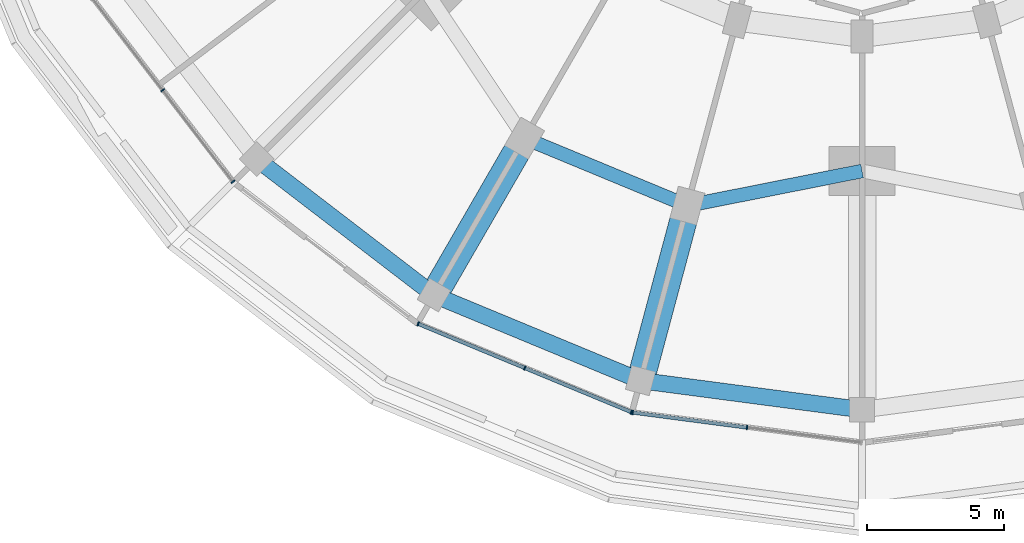
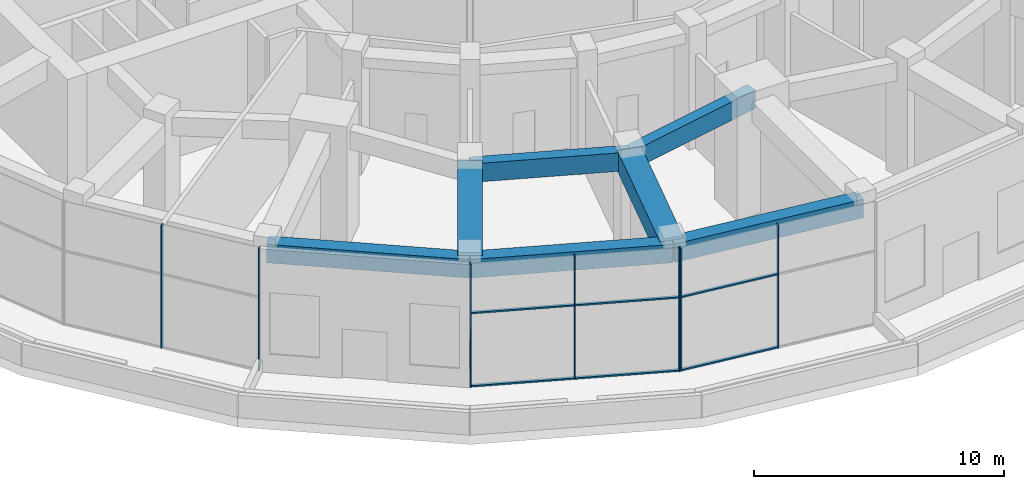
# One storey, part 2 of 23: 13 members, 7 beams, 3 elements without a shape of their own.
"""IFC4 building model written with IfcOpenShell, lengths in metres."""

from ifc_helpers import new_model, si_unit, direction, frame, origin, origin_2d, place, context, subcontext, project, spatial, rectangle, extrude, material, layer, layer_set, material_profile, profile_set, type_object, element, aggregate, save


model = new_model("IFC4")

# Units and contexts
model_context = context("Model", 3, precision=1e-05, world=origin(), true_north=direction((0.0, 1.0)))
body_context = subcontext(model_context, "Body", "Model", "MODEL_VIEW")
ifc_project = project(units=[si_unit("LENGTHUNIT", "METRE"), si_unit("AREAUNIT", "SQUARE_METRE"), si_unit("VOLUMEUNIT", "CUBIC_METRE"), si_unit("PLANEANGLEUNIT", "RADIAN"), si_unit("MASSUNIT", "GRAM", prefix="KILO")], contexts=[model_context])

# Site, building, storey
site_placement = place(None, origin())
site = spatial("IfcSite", under=ifc_project, at=site_placement, CompositionType="ELEMENT")
building_placement = place(site_placement, origin())
building = spatial("IfcBuilding", under=site, at=building_placement, Name="Torre Brocal", CompositionType="ELEMENT")
storey_placement = place(building_placement, frame((0.0, 0.0, 17.800048828125)))
storey = spatial("IfcBuildingStorey", under=building, at=storey_placement, Name="L03", CompositionType="ELEMENT", Elevation=17.800048828125)

# Curtain wall, members
ifc_material_1 = material(Name="Aluminium and glass", Category="aluminium")
ifc_layer = layer(ifc_material_1, 0.199951171875)
ifc_layer_set = layer_set([ifc_layer], Name="Aluminium and glass")
curtain_wall_type = type_object("IfcCurtainWallType", Name="CW-6 CURTAIN WALL 6000 HIGH", PredefinedType="NOTDEFINED", material=ifc_layer_set)
curtain_wall_1_placement = place(storey_placement, origin())
curtain_wall_1 = element("IfcCurtainWall", 1, at=curtain_wall_1_placement, inside=storey, type_object=curtain_wall_type, Name="CW-6 RUN 15", PredefinedType="NOTDEFINED")
ifc_material_2 = material(Name="Aluminium, dark anodised", Category="aluminium")
ifc_material_profile_1 = material_profile(ifc_material_2, rectangle(XDim=0.159912109375, YDim=0.050048828125, at=origin_2d()), Name="CW-6 MULLION 50X160")
ifc_profile_set_1 = profile_set([ifc_material_profile_1], Name="Aluminium, dark anodised")
member_type_1 = type_object("IfcMemberType", Name="CW-6 MULLION 50X160", PredefinedType="MULLION", material=ifc_profile_set_1)
member_1_placement = place(storey_placement, frame((54.515869140625, 55.4453125, 0.0), z_axis=(0.0, 0.0, 1.0), x_axis=(0.793353340291, 0.608761429009, 0.0)))
member_1 = element("IfcMember", 2, at=member_1_placement, type_object=member_type_1, Name="CW6-2 mullion 2", PredefinedType="MULLION", context=body_context, shape_type="SweptSolid", body=[
    extrude(rectangle(XDim=0.159912109375, YDim=0.050048828125, at=origin_2d()), origin(), (0.0, 0.0, 1.0), 6.0),
])
member_2_placement = place(storey_placement, frame((57.0751953125, 52.110107421875, 0.0), z_axis=(0.0, 0.0, 1.0), x_axis=(0.793353340291, 0.608761429009, 0.0)))
member_2 = element("IfcMember", 3, at=member_2_placement, type_object=member_type_1, Name="CW6-2 mullion 3", PredefinedType="MULLION", context=body_context, shape_type="SweptSolid", body=[
    extrude(rectangle(XDim=0.159912109375, YDim=0.050048828125, at=origin_2d()), origin(), (0.0, 0.0, 1.0), 6.0),
])
aggregate(curtain_wall_1, [member_1, member_2])

curtain_wall_2_placement = place(storey_placement, origin())
curtain_wall_2 = element("IfcCurtainWall", 4, at=curtain_wall_2_placement, inside=storey, type_object=curtain_wall_type, Name="CW-6 RUN 17", PredefinedType="NOTDEFINED")
member_3_placement = place(storey_placement, frame((63.823486328125, 46.931884765625, 0.0), z_axis=(0.0, 0.0, 1.0), x_axis=(0.382683432301, 0.923879532538, 0.0)))
member_3 = element("IfcMember", 5, at=member_3_placement, type_object=member_type_1, Name="CW6-2 mullion 1", PredefinedType="MULLION", context=body_context, shape_type="SweptSolid", body=[
    extrude(rectangle(XDim=0.159912109375, YDim=0.050048828125, at=origin_2d()), origin(), (0.0, 0.0, 1.0), 6.0),
])
member_4_placement = place(storey_placement, frame((67.70751953125, 45.3232421875, 0.0), z_axis=(0.0, 0.0, 1.0), x_axis=(0.382683432301, 0.923879532538, 0.0)))
member_4 = element("IfcMember", 6, at=member_4_placement, type_object=member_type_1, Name="CW6-2 mullion 2", PredefinedType="MULLION", context=body_context, shape_type="SweptSolid", body=[
    extrude(rectangle(XDim=0.159912109375, YDim=0.050048828125, at=origin_2d()), origin(), (0.0, 0.0, 1.0), 6.0),
])
member_5_placement = place(storey_placement, frame((71.59130859375, 43.71435546875, 0.0), z_axis=(0.0, 0.0, 1.0), x_axis=(0.382683432301, 0.923879532538, 0.0)))
member_5 = element("IfcMember", 7, at=member_5_placement, type_object=member_type_1, Name="CW6-2 mullion 3", PredefinedType="MULLION", context=body_context, shape_type="SweptSolid", body=[
    extrude(rectangle(XDim=0.159912109375, YDim=0.050048828125, at=origin_2d()), origin(), (0.0, 0.0, 1.0), 6.0),
])

curtain_wall_3_placement = place(storey_placement, origin())
curtain_wall_3 = element("IfcCurtainWall", 8, at=curtain_wall_3_placement, inside=storey, type_object=curtain_wall_type, Name="CW-6 RUN 18", PredefinedType="NOTDEFINED")
member_6_placement = place(storey_placement, frame((71.63916015625, 43.70166015625, 0.0), z_axis=(0.0, 0.0, 1.0), x_axis=(0.130526192255, 0.991444861369, 0.0)))
member_6 = element("IfcMember", 9, at=member_6_placement, type_object=member_type_1, Name="CW6-2 mullion 1", PredefinedType="MULLION", context=body_context, shape_type="SweptSolid", body=[
    extrude(rectangle(XDim=0.159912109375, YDim=0.050048828125, at=origin_2d()), origin(), (0.0, 0.0, 1.0), 6.0),
])
member_7_placement = place(storey_placement, frame((75.80712890625, 43.15283203125, 0.0), z_axis=(0.0, 0.0, 1.0), x_axis=(0.130526192255, 0.991444861369, 0.0)))
member_7 = element("IfcMember", 10, at=member_7_placement, type_object=member_type_1, Name="CW6-2 mullion 2", PredefinedType="MULLION", context=body_context, shape_type="SweptSolid", body=[
    extrude(rectangle(XDim=0.159912109375, YDim=0.050048828125, at=origin_2d()), origin(), (0.0, 0.0, 1.0), 6.0),
])

# Member
ifc_material_3 = material(Name="Aluminium, dark anodised", Category="aluminium")
ifc_material_profile_2 = material_profile(ifc_material_3, rectangle(XDim=0.1298828125, YDim=0.070068359375, at=origin_2d()), Name="CW-6 TRANSOM 130X70")
ifc_profile_set_2 = profile_set([ifc_material_profile_2], Name="Aluminium, dark anodised")
member_type_2 = type_object("IfcMemberType", Name="CW-6 TRANSOM 130X70", PredefinedType="USERDEFINED", material=ifc_profile_set_2)
member_8_placement = place(storey_placement, frame((63.8466796875, 46.92236328125, 0.034912109375), z_axis=(0.923880010179, -0.38268227917, 0.0), x_axis=(0.38268227917, 0.923880010179, 0.0)))
member_8 = element("IfcMember", 11, at=member_8_placement, type_object=member_type_2, Name="CW6-2 transom 1.1", ObjectType="TRANSOM", PredefinedType="USERDEFINED", context=body_context, shape_type="SweptSolid", body=[
    extrude(rectangle(XDim=0.1298828125, YDim=0.070068359375, at=origin_2d()), origin(), (0.0, 0.0, 1.0), 4.15380859375),
])

member_9_placement = place(storey_placement, frame((63.8466796875, 46.92236328125, 3.599853515625), z_axis=(0.923880010179, -0.38268227917, 0.0), x_axis=(0.38268227917, 0.923880010179, 0.0)))
member_9 = element("IfcMember", 12, at=member_9_placement, type_object=member_type_2, Name="CW6-2 transom 1.2", ObjectType="TRANSOM", PredefinedType="USERDEFINED", context=body_context, shape_type="SweptSolid", body=[
    extrude(rectangle(XDim=0.1298828125, YDim=0.070068359375, at=origin_2d()), origin(), (0.0, 0.0, 1.0), 4.15380859375),
])

member_10_placement = place(storey_placement, frame((67.73046875, 45.313720703125, 0.034912109375), z_axis=(0.923867838001, -0.38271166419, 0.0), x_axis=(0.38271166419, 0.923867838001, 0.0)))
member_10 = element("IfcMember", 13, at=member_10_placement, type_object=member_type_2, Name="CW6-2 transom 2.1", ObjectType="TRANSOM", PredefinedType="USERDEFINED", context=body_context, shape_type="SweptSolid", body=[
    extrude(rectangle(XDim=0.1298828125, YDim=0.070068359375, at=origin_2d()), origin(), (0.0, 0.0, 1.0), 4.154052734375),
])

member_11_placement = place(storey_placement, frame((67.73046875, 45.313720703125, 3.599853515625), z_axis=(0.923867838001, -0.38271166419, 0.0), x_axis=(0.38271166419, 0.923867838001, 0.0)))
member_11 = element("IfcMember", 14, at=member_11_placement, type_object=member_type_2, Name="CW6-2 transom 2.2", ObjectType="TRANSOM", PredefinedType="USERDEFINED", context=body_context, shape_type="SweptSolid", body=[
    extrude(rectangle(XDim=0.1298828125, YDim=0.070068359375, at=origin_2d()), origin(), (0.0, 0.0, 1.0), 4.154052734375),
])

aggregate(curtain_wall_2, [member_3, member_4, member_5, member_8, member_9, member_10, member_11])

member_12_placement = place(storey_placement, frame((71.6640625, 43.6982421875, 0.034912109375), z_axis=(0.991443689902, -0.130535090122, 0.0), x_axis=(0.130535090122, 0.991443689902, 0.0)))
member_12 = element("IfcMember", 15, at=member_12_placement, type_object=member_type_2, Name="CW6-2 transom 1.1", ObjectType="TRANSOM", PredefinedType="USERDEFINED", context=body_context, shape_type="SweptSolid", body=[
    extrude(rectangle(XDim=0.1298828125, YDim=0.070068359375, at=origin_2d()), origin(), (0.0, 0.0, 1.0), 4.154052734375),
])

member_13_placement = place(storey_placement, frame((71.6640625, 43.6982421875, 3.599853515625), z_axis=(0.991443689902, -0.130535090122, 0.0), x_axis=(0.130535090122, 0.991443689902, 0.0)))
member_13 = element("IfcMember", 16, at=member_13_placement, type_object=member_type_2, Name="CW6-2 transom 1.2", ObjectType="TRANSOM", PredefinedType="USERDEFINED", context=body_context, shape_type="SweptSolid", body=[
    extrude(rectangle(XDim=0.1298828125, YDim=0.070068359375, at=origin_2d()), origin(), (0.0, 0.0, 1.0), 4.154052734375),
])

aggregate(curtain_wall_3, [member_6, member_7, member_12, member_13])

# Beams
ifc_material_4 = material(Name="Concrete C50", Category="concrete")
ifc_material_profile_3 = material_profile(ifc_material_4, rectangle(XDim=0.60009765625, YDim=0.89990234375, at=origin_2d()), Name="RC 600X900")
ifc_profile_set_3 = profile_set([ifc_material_profile_3], Name="Concrete C50")
beam_type_1 = type_object("IfcBeamType", Name="RC BEAM 600X900 C50 TOP 5550", PredefinedType="BEAM", material=ifc_profile_set_3)
beam_1_placement = place(storey_placement, frame((57.938232421875, 52.938232421875, 5.099853515625), z_axis=(0.793351073076, -0.608764383689, 0.0), x_axis=(0.608764383689, 0.793351073076, 0.0)))
element("IfcBeam", 17, at=beam_1_placement, inside=storey, type_object=beam_type_1, Name="Beam BT-13", PredefinedType="BEAM", context=body_context, shape_type="SweptSolid", body=[
    extrude(rectangle(XDim=0.60009765625, YDim=0.89990234375, at=origin_2d()), origin(), (0.0, 0.0, 1.0), 8.144775390625),
])
beam_2_placement = place(storey_placement, frame((64.39990234375, 47.97998046875, 5.099853515625), z_axis=(0.923878371212, -0.382686235977, 0.0), x_axis=(0.382686235977, 0.923878371212, 0.0)))
element("IfcBeam", 18, at=beam_2_placement, inside=storey, type_object=beam_type_1, Name="Beam BT-13", PredefinedType="BEAM", context=body_context, shape_type="SweptSolid", body=[
    extrude(rectangle(XDim=0.60009765625, YDim=0.89990234375, at=origin_2d()), origin(), (0.0, 0.0, 1.0), 8.14501953125),
])
beam_3_placement = place(storey_placement, frame((71.9248046875, 44.863037109375, 5.099853515625), z_axis=(0.991446948203, -0.130510340201, 0.0), x_axis=(0.130510340201, 0.991446948203, 0.0)))
element("IfcBeam", 19, at=beam_3_placement, inside=storey, type_object=beam_type_1, Name="Beam BT-13", PredefinedType="BEAM", context=body_context, shape_type="SweptSolid", body=[
    extrude(rectangle(XDim=0.60009765625, YDim=0.89990234375, at=origin_2d()), origin(), (0.0, 0.0, 1.0), 8.144775390625),
])
ifc_material_5 = material(Name="Concrete C50", Category="concrete")
ifc_material_profile_4 = material_profile(ifc_material_5, rectangle(XDim=0.5, YDim=0.89990234375, at=origin_2d()), Name="RC 500X900")
ifc_profile_set_4 = profile_set([ifc_material_profile_4], Name="Concrete C50")
beam_type_2 = type_object("IfcBeamType", Name="RC SPANDREL BEAM 500X900 C50 TOP 5550", PredefinedType="SPANDREL", material=ifc_profile_set_4)
beam_4_placement = place(storey_placement, frame((67.699951171875, 53.69580078125, 5.099853515625), z_axis=(0.923882462513, -0.382676358639, 0.0), x_axis=(0.382676358639, 0.923882462513, 0.0)))
element("IfcBeam", 20, at=beam_4_placement, inside=storey, type_object=beam_type_2, Name="Beam BT-15", PredefinedType="SPANDREL", context=body_context, shape_type="SweptSolid", body=[
    extrude(rectangle(XDim=0.5, YDim=0.89990234375, at=origin_2d()), origin(), (0.0, 0.0, 1.0), 6.421875),
])
beam_5_placement = place(storey_placement, frame((73.633056640625, 51.23828125, 5.099853515625), z_axis=(0.980924907484, 0.194387051723, 0.0), x_axis=(-0.194387051723, 0.980924907484, 0.0)))
element("IfcBeam", 21, at=beam_5_placement, inside=storey, type_object=beam_type_2, Name="Beam BT-15", PredefinedType="SPANDREL", context=body_context, shape_type="SweptSolid", body=[
    extrude(rectangle(XDim=0.5, YDim=0.89990234375, at=origin_2d()), origin(), (0.0, 0.0, 1.0), 6.49072265625),
])
ifc_material_6 = material(Name="Concrete C60", Category="concrete")
ifc_material_profile_5 = material_profile(ifc_material_6, rectangle(XDim=1.0, YDim=1.0, at=origin_2d()), Name="RC 1000X1000")
ifc_profile_set_5 = profile_set([ifc_material_profile_5], Name="Concrete C60")
beam_type_3 = type_object("IfcBeamType", Name="RC TRANSFER GIRDER 1000X1000 C60 TOP 5550", PredefinedType="BEAM", material=ifc_profile_set_5)
for number, where, z_axis, x_axis, name in (
    (22, (67.699951171875, 53.69580078125, 5.050048828125), (-0.500002094529, -0.866024194504, 0.0), (0.866024194504, -0.500002094529, 0.0), "Beam TG-04"),
    (23, (73.633056640625, 51.23828125, 5.050048828125), (-0.258820520092, -0.965925431066, 0.0), (0.965925431066, -0.258820520092, 0.0), "Beam TG-04"),
):
    element("IfcBeam", number, at=place(storey_placement, frame(where, z_axis=z_axis, x_axis=x_axis)), inside=storey, type_object=beam_type_3, Name=name, PredefinedType="BEAM", context=body_context, shape_type="SweptSolid", body=[
        extrude(rectangle(XDim=1.0, YDim=1.0, at=origin_2d()), origin(), (0.0, 0.0, 1.0), 6.60009765625),
    ])

save(model, "model.ifc")
